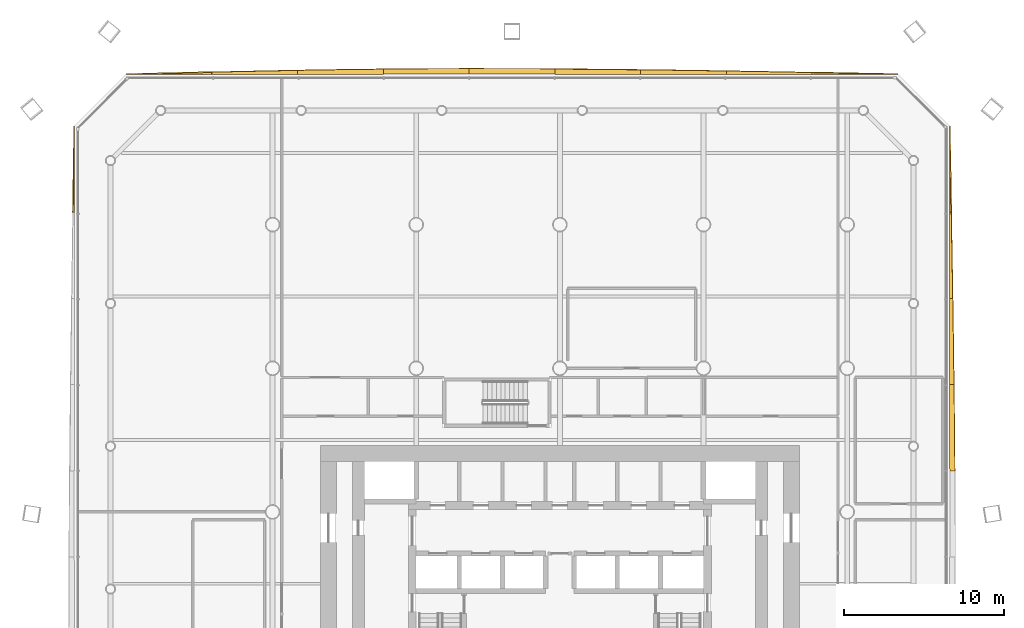
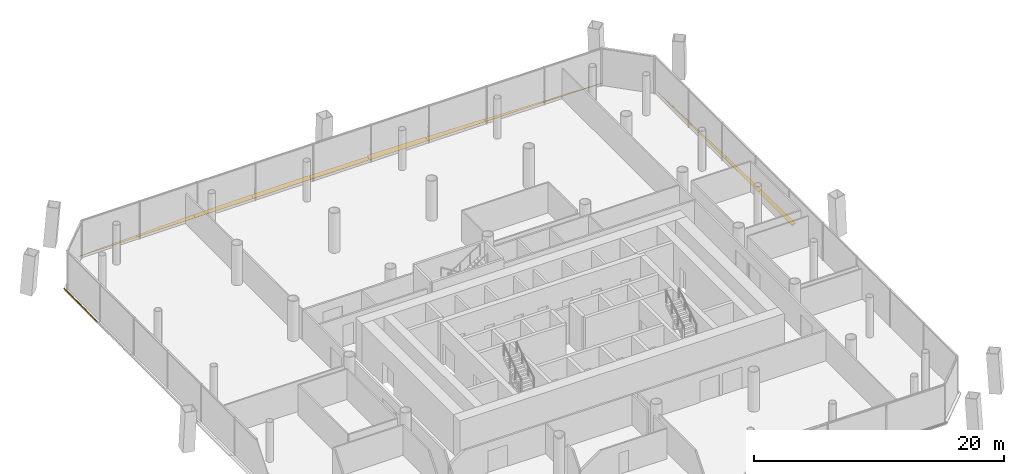
# One storey, part 22 of 22: 14 shading devices.
"""IFC4 building model written with IfcOpenShell, lengths in metres."""

from ifc_helpers import new_model, si_unit, direction, frame, origin, place, context, subcontext, project, spatial, polyline, outline, extrude, material, layer, layer_set, type_object, element, save


model = new_model("IFC4")

# Units and contexts
model_context = context("Model", 3, precision=1e-05, world=origin(), true_north=direction((0.0, 1.0)))
body_context = subcontext(model_context, "Body", "Model", "MODEL_VIEW")
ifc_project = project(units=[si_unit("LENGTHUNIT", "METRE"), si_unit("AREAUNIT", "SQUARE_METRE"), si_unit("VOLUMEUNIT", "CUBIC_METRE"), si_unit("PLANEANGLEUNIT", "RADIAN"), si_unit("MASSUNIT", "GRAM", prefix="KILO")], contexts=[model_context])

# Site, building, storey
site_placement = place(None, origin())
site = spatial("IfcSite", under=ifc_project, at=site_placement, CompositionType="ELEMENT")
building_placement = place(site_placement, origin())
building = spatial("IfcBuilding", under=site, at=building_placement, Name="Tskaro Facet Tower", CompositionType="ELEMENT")
storey_placement = place(building_placement, frame((0.0, 0.0, 26.39990234375)))
storey = spatial("IfcBuildingStorey", under=building, at=storey_placement, Name="L05", CompositionType="ELEMENT", Elevation=26.39990234375)

# Shading devices
ifc_material = material(Name="Bronze anodised aluminium 6063-T6", Category="aluminium")
ifc_layer = layer(ifc_material, 0.06005859375, Name="Bronze anodised aluminium 6063-T6")
ifc_layer_set = layer_set([ifc_layer], Name="Bronze anodised aluminium 6063-T6")
shading_device_type = type_object("IfcShadingDeviceType", Name="Bronze sun blade (FN1)", PredefinedType="USERDEFINED", material=ifc_layer_set)
shading_device_1_placement = place(storey_placement, frame((24.4267578125, 2.579345703125, 0.054443359375), z_axis=(-0.422875241839, -1.5801726e-05, 0.90618791075), x_axis=(-6.682159e-06, 0.999999999875, 1.4319333e-05)))
element("IfcShadingDevice", 1, at=shading_device_1_placement, inside=storey, type_object=shading_device_type, Name="Fin blade east 6", ObjectType="FIN", PredefinedType="USERDEFINED", context=body_context, shape_type="SweptSolid", body=[
    extrude(outline(polyline([(0.0, 0.0), (5.3977050774511115, 4.572034040733722e-21), (5.397705079368248, -0.29533546732296745), (4.722900390555708, -0.30418491304730066), (4.04833984213498, -0.3124886431799302), (3.373535156352055, -0.32034989874670833), (2.698730468704585, -0.3278866760047084), (2.0241699214489266, -0.3348777376710047), (1.349365235199685, -0.3416475620543754), (0.6748046858463242, -0.3477684298201898), (-8.692334708969068e-10, -0.353446823020153), (0.0, 0.0)])), origin(), (0.0, 0.0, -1.0), 0.06005859375),
])
shading_device_2_placement = place(storey_placement, frame((24.422119140625, 7.97705078125, 0.052001953125), z_axis=(-0.50033654368, -1.1439165e-05, 0.865831012916), x_axis=(-5.723433e-06, 0.999999999935, 9.904384e-06)))
element("IfcShadingDevice", 2, at=shading_device_2_placement, inside=storey, type_object=shading_device_type, Name="Fin blade east 7", ObjectType="FIN", PredefinedType="USERDEFINED", context=body_context, shape_type="SweptSolid", body=[
    extrude(outline(polyline([(0.0, 0.0), (5.397705077771843, -4.572034040733722e-21), (5.397705078297584, -0.22193899770481654), (4.7229003912084355, -0.2340823441771434), (4.048095703098547, -0.24589215364832642), (3.3735351559902247, -0.2571570415937139), (2.6987304682569184, -0.2684219295391013), (2.0241699215251785, -0.27914189595869326), (1.3493652331477144, -0.2895283253771413), (0.6745605475648949, -0.29949198574628605), (-8.317432204774992e-10, -0.30899995663779467), (0.0, 0.0)])), origin(), (0.0, 0.0, -1.0), 0.06005859375),
])
shading_device_3_placement = place(storey_placement, frame((24.41748046875, 13.374755859375, 0.04931640625), z_axis=(-0.573132227953, -1.165994e-06, 0.819462902931), x_axis=(-6.68269e-07, 0.999999999999, 9.55489e-07)))
element("IfcShadingDevice", 3, at=shading_device_3_placement, inside=storey, type_object=shading_device_type, Name="Fin blade east 8", ObjectType="FIN", PredefinedType="USERDEFINED", context=body_context, shape_type="SweptSolid", body=[
    extrude(outline(polyline([(0.0, 0.0), (5.397460937496332, 0.0), (5.397460937460702, -0.12272480411582527), (4.722900390523038, -0.13728539444640794), (4.048095703193648, -0.1519859096373308), (3.3735351562559854, -0.16654649996791346), (2.6987304687863514, -0.18056703706758387), (2.023925781316717, -0.19458757416725425), (1.3493652344019609, -0.2082681222212984), (0.6745605467920827, -0.2216086812297163), (-2.9644069142095054e-11, -0.23474917605284817), (0.0, 0.0)])), origin(), (0.0, 0.0, -1.0), 0.06005859375),
])
shading_device_4_placement = place(storey_placement, frame((24.413330078125, 18.772216796875, 0.046142578125), z_axis=(-0.641093003962, 2.9507778e-05, 0.767463197424), x_axis=(1.891723e-05, 0.999999999565, -2.2646134e-05)))
element("IfcShadingDevice", 4, at=shading_device_4_placement, inside=storey, type_object=shading_device_type, Name="Fin blade east 9", ObjectType="FIN", PredefinedType="USERDEFINED", context=body_context, shape_type="SweptSolid", body=[
    extrude(outline(polyline([(0.0, 0.0), (5.397705075775085, -9.144068081467444e-21), (4.723144536232197, -0.016660778482311445), (4.048339845917109, -0.03329070486659629), (3.3737792962269153, -0.04992063125088114), (2.6989746068222047, -0.06620667184366227), (2.0241699220359575, -0.08268008138120855), (1.3496093732561407, -0.09896612197398968), (0.6748046792329656, -0.11506479362200567), (-4.642903898611129e-09, -0.13119431736804824), (0.0, 0.0)])), origin(), (0.0, 0.0, -1.0), 0.06005859375),
])
shading_device_5_placement = place(storey_placement, frame((21.169921875, 27.4267578125, 0.054443359375), z_axis=(-1.483602e-06, -0.423290249573, 0.905994130563), x_axis=(-0.999999999999, 6.27994e-07, -1.344135e-06)))
element("IfcShadingDevice", 5, at=shading_device_5_placement, inside=storey, type_object=shading_device_type, Name="Fin blade north 1", ObjectType="FIN", PredefinedType="USERDEFINED", context=body_context, shape_type="SweptSolid", body=[
    extrude(outline(polyline([(0.0, 0.0), (5.371093749994089, -5.686866711302065e-22), (5.371093750007205, -0.11883330151141706), (4.699707031182669, -0.10430548430199785), (4.028320312358134, -0.08977766709257863), (3.356933593708438, -0.07492531756378992), (2.6855468750587415, -0.06007296803500122), (2.0141601562557265, -0.04499942853293038), (1.3427734376060303, -0.03014707900414168), (0.6713867188030151, -0.01507353950207084), (0.0, 0.0)])), origin(), (0.0, 0.0, -1.0), 0.06005859375),
])
shading_device_6_placement = place(storey_placement, frame((15.798828125, 27.422119140625, 0.052001953125), z_axis=(-4.268802e-06, -0.500593288222, 0.865682597589), x_axis=(-0.999999999991, 2.136934e-06, -3.695428e-06)))
element("IfcShadingDevice", 6, at=shading_device_6_placement, inside=storey, type_object=shading_device_type, Name="Fin blade north 2", ObjectType="FIN", PredefinedType="USERDEFINED", context=body_context, shape_type="SweptSolid", body=[
    extrude(outline(polyline([(0.0, 0.0), (5.371093749951062, -2.274746684520826e-21), (5.3710937500987495, -0.2365955674252628), (4.699707031715609, -0.22357373679255152), (4.028320312810755, -0.2103405578694113), (3.3569335937646816, -0.19656246720715467), (2.6855468747186073, -0.18278437654489807), (2.014160156053025, -0.16867272243395398), (1.3427734372462226, -0.1540161565838935), (0.6713867184394195, -0.13935959073383303), (1.3108350205463869e-11, -0.12436946143508511), (0.0, 0.0)])), origin(), (0.0, 0.0, -1.0), 0.06005859375),
])
shading_device_7_placement = place(storey_placement, frame((10.427734375, 27.41748046875, 0.04931640625), z_axis=(-5.905494e-06, -0.573240235143, 0.819387352098), x_axis=(-0.999999999983, 3.385267e-06, -4.838887e-06)))
element("IfcShadingDevice", 7, at=shading_device_7_placement, inside=storey, type_object=shading_device_type, Name="Fin blade north 3", ObjectType="FIN", PredefinedType="USERDEFINED", context=body_context, shape_type="SweptSolid", body=[
    extrude(outline(polyline([(0.0, 0.0), (5.3710937499063425, 0.0), (5.371093749945978, -0.34413342326499513), (4.699707031105293, -0.3343130355627911), (4.028320312147901, -0.32361260818123094), (3.356933593545398, -0.31257218383012353), (2.685546874471302, -0.3009917167692071), (2.014160156933462, -0.28893130150945806), (1.3427734377426597, -0.2764707947691854), (0.6713867189067453, -0.2636702910593655), (-4.0076264467448816e-10, -0.25032974463973656), (0.0, 0.0)])), origin(), (0.0, 0.0, -1.0), 0.06005859375),
])
shading_device_8_placement = place(storey_placement, frame((5.056640625, 27.413330078125, 0.046142578125), z_axis=(-5.871935e-06, -0.642547090735, 0.766246198133), x_axis=(-0.999999999983, 3.772994e-06, -4.499347e-06)))
element("IfcShadingDevice", 8, at=shading_device_8_placement, inside=storey, type_object=shading_device_type, Name="Fin blade north 4", ObjectType="FIN", PredefinedType="USERDEFINED", context=body_context, shape_type="SweptSolid", body=[
    extrude(outline(polyline([(0.0, 0.0), (5.371093749907404, 0.0), (5.371093749833186, -0.4323766308968867), (4.699707030991321, -0.4266562603090386), (4.028320311582979, -0.42006093054737925), (3.3569335934504436, -0.4129647852633471), (2.6855468756725727, -0.405180752631223), (2.0141601571508922, -0.39686570449933356), (1.3427734369642625, -0.38783256904195956), (0.6713867191519117, -0.3781417462138861), (-5.027215893543627e-10, -0.368076779734374), (0.0, 0.0)])), origin(), (0.0, 0.0, -1.0), 0.06005859375),
])
shading_device_9_placement = place(storey_placement, frame((-0.314453125, 27.431396484375, 0.056396484375), z_axis=(5.086127e-06, -0.342175266344, 0.93963614611), x_axis=(-0.999999999987, -1.740347e-06, 4.779109e-06)))
element("IfcShadingDevice", 9, at=shading_device_9_placement, inside=storey, type_object=shading_device_type, Name="Fin blade north 5", ObjectType="FIN", PredefinedType="USERDEFINED", context=body_context, shape_type="SweptSolid", body=[
    extrude(outline(polyline([(0.0, 0.0), (5.3710937499305285, 1.137373342260413e-21), (5.371093750019194, -0.37025646275853774), (5.295898437520167, -0.37025646275853774), (4.699707031702768, -0.370027059402551), (4.028320311902571, -0.3691717715678186), (3.356933594118927, -0.3679412159044985), (2.685546875276402, -0.36585537240644606), (2.014160155691992, -0.3634565866690208), (1.3427734373822497, -0.36036959086363507), (0.6713867187555119, -0.3567402494628897), (-1.8822176877182355e-10, -0.35256856246678475), (0.0, 0.0)])), origin(), (0.0, 0.0, -1.0), 0.06005859375),
])
shading_device_10_placement = place(storey_placement, frame((-5.685546875, 27.4267578125, 0.054443359375), z_axis=(6.966951e-06, -0.422766934185, 0.906238445064), x_axis=(-0.999999999976, -2.945397e-06, 6.313719e-06)))
element("IfcShadingDevice", 10, at=shading_device_10_placement, inside=storey, type_object=shading_device_type, Name="Fin blade north 6", ObjectType="FIN", PredefinedType="USERDEFINED", context=body_context, shape_type="SweptSolid", body=[
    extrude(outline(polyline([(0.0, 0.0), (5.371093749869648, 0.0), (5.371093749883962, -0.353992540894569), (4.699707031670205, -0.3607623564066498), (4.028320312530852, -0.3666619938904963), (3.3569335940073346, -0.37179466792965243), (2.6855468745582205, -0.37605716394057437), (2.0141601564440346, -0.3793314468864236), (1.342773437404251, -0.38173555180403873), (0.6713867181579607, -0.3830482290730373), (-4.724918968455654e-10, -0.38359394289734555), (0.0, 0.0)])), origin(), (0.0, 0.0, -1.0), 0.06005859375),
])
shading_device_11_placement = place(storey_placement, frame((-11.056640625, 27.422119140625, 0.052001953125), z_axis=(2.146535e-06, -0.500230728917, 0.865892151392), x_axis=(-0.999999999998, -1.073763e-06, 1.858668e-06)))
element("IfcShadingDevice", 11, at=shading_device_11_placement, inside=storey, type_object=shading_device_type, Name="Fin blade north 7", ObjectType="FIN", PredefinedType="USERDEFINED", context=body_context, shape_type="SweptSolid", body=[
    extrude(outline(polyline([(0.0, 0.0), (5.371093749987626, 0.0), (5.371093749980182, -0.283078501653386), (4.699707031354309, -0.29664522130100035), (4.028320312345181, -0.3095448887609621), (3.3569335936687232, -0.3216882312250497), (2.6855468753249374, -0.33307524869326316), (2.0141601561441203, -0.3436730873310218), (1.3427734375581237, -0.35330320152188227), (0.6713867185888726, -0.3622662635250903), (-4.77074198426774e-11, -0.37047300053242416), (0.0, 0.0)])), origin(), (0.0, 0.0, -1.0), 0.06005859375),
])
shading_device_12_placement = place(storey_placement, frame((-16.427734375, 27.41748046875, 0.04931640625), z_axis=(-1.2606232e-05, -0.573019714492, 0.819541583231), x_axis=(-0.999999999921, 7.223619e-06, -1.0331331e-05)))
element("IfcShadingDevice", 12, at=shading_device_12_placement, inside=storey, type_object=shading_device_type, Name="Fin blade north 8", ObjectType="FIN", PredefinedType="USERDEFINED", context=body_context, shape_type="SweptSolid", body=[
    extrude(outline(polyline([(0.0, 0.0), (5.3710937495732205, 0.0), (5.371093750487058, -0.16200637520441646), (4.6997070311560645, -0.18110709504941971), (4.028320313342507, -0.19952785332321518), (3.3569335937653713, -0.21774852820265128), (2.6855468757056724, -0.2352892415108796), (2.014160156641114, -0.25228989063914464), (1.3427734365716948, -0.26875047558744647), (0.6713867162561342, -0.28433101557018103), (-7.784100364059927e-10, -0.2994316773760673), (0.0, 0.0)])), origin(), (0.0, 0.0, -1.0), 0.06005859375),
])
shading_device_13_placement = place(storey_placement, frame((-21.798828125, 27.413330078125, 0.046142578125), z_axis=(-3.7382876e-05, -0.641517980433, 0.76710799721), x_axis=(-0.999999999301, 2.3981787e-05, -2.8676703e-05)))
element("IfcShadingDevice", 13, at=shading_device_13_placement, inside=storey, type_object=shading_device_type, Name="Fin blade north 9", ObjectType="FIN", PredefinedType="USERDEFINED", context=body_context, shape_type="SweptSolid", body=[
    extrude(outline(polyline([(0.0, 0.0), (5.371093746247004, 0.0), (4.699707031744525, -0.022193750667319344), (4.028320317242048, -0.04438750133463869), (3.3569335968846414, -0.06639396977594583), (2.6855468706723062, -0.0882131559912408), (2.0141601514611196, -0.10987572160573461), (1.3427734322499325, -0.13153828722022842), (0.6713867153311853, -0.1525130471810956), (-7.442490417771789e-09, -0.17330052491595055), (0.0, 0.0)])), origin(), (0.0, 0.0, -1.0), 0.06005859375),
])
shading_device_14_placement = place(storey_placement, frame((-30.4267578125, 24.169921875, 0.054443359375), z_axis=(0.423945664225, -1.4954066e-05, 0.905687624714), x_axis=(-6.339711e-06, -0.999999999888, -1.3543712e-05)))
element("IfcShadingDevice", 14, at=shading_device_14_placement, inside=storey, type_object=shading_device_type, Name="Fin blade west 1", ObjectType="FIN", PredefinedType="USERDEFINED", context=body_context, shape_type="SweptSolid", body=[
    extrude(outline(polyline([(0.0, 0.0), (5.397705077521472, 0.0), (5.3977050787261, -0.094040069418248), (4.722900390878371, -0.08246207108999339), (4.0480957030306435, -0.07088407276173878), (3.373535154260107, -0.059084959290706895), (2.6987304697189494, -0.04740345860301071), (2.0239257803234407, -0.03560434513197882), (1.3493652348594747, -0.023701729301505357), (0.6745605454639658, -0.011902615830473468), (0.0, 0.0)])), origin(), (0.0, 0.0, -1.0), 0.06005859375),
])

save(model, "model.ifc")
